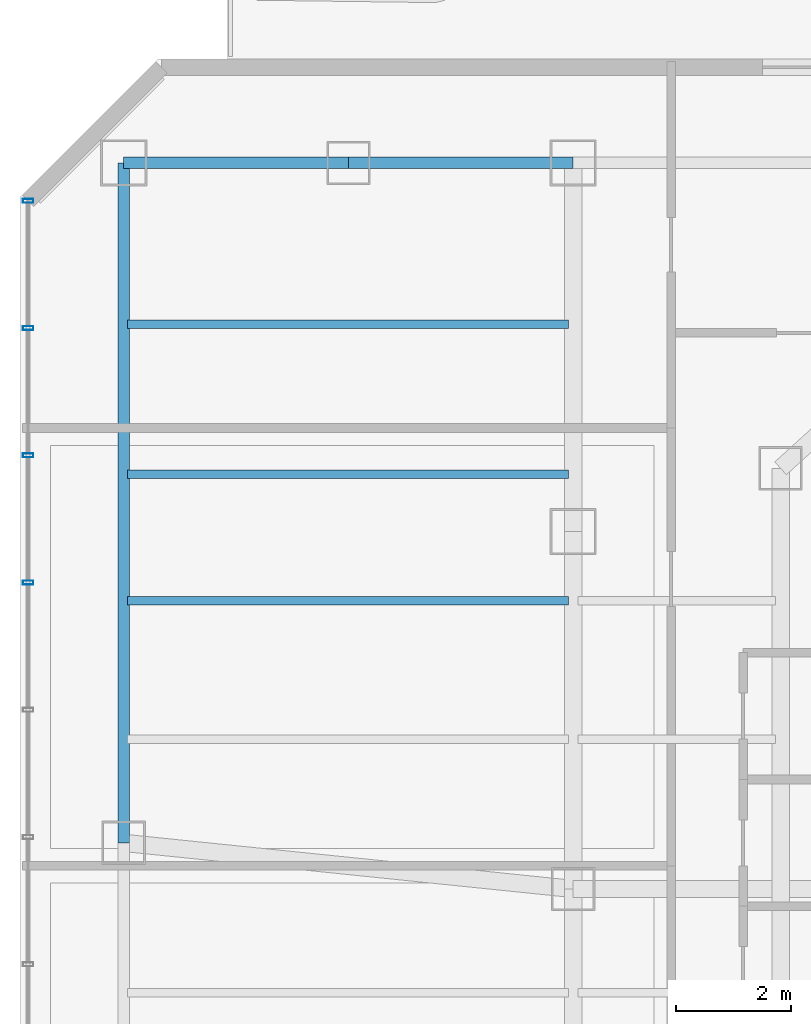
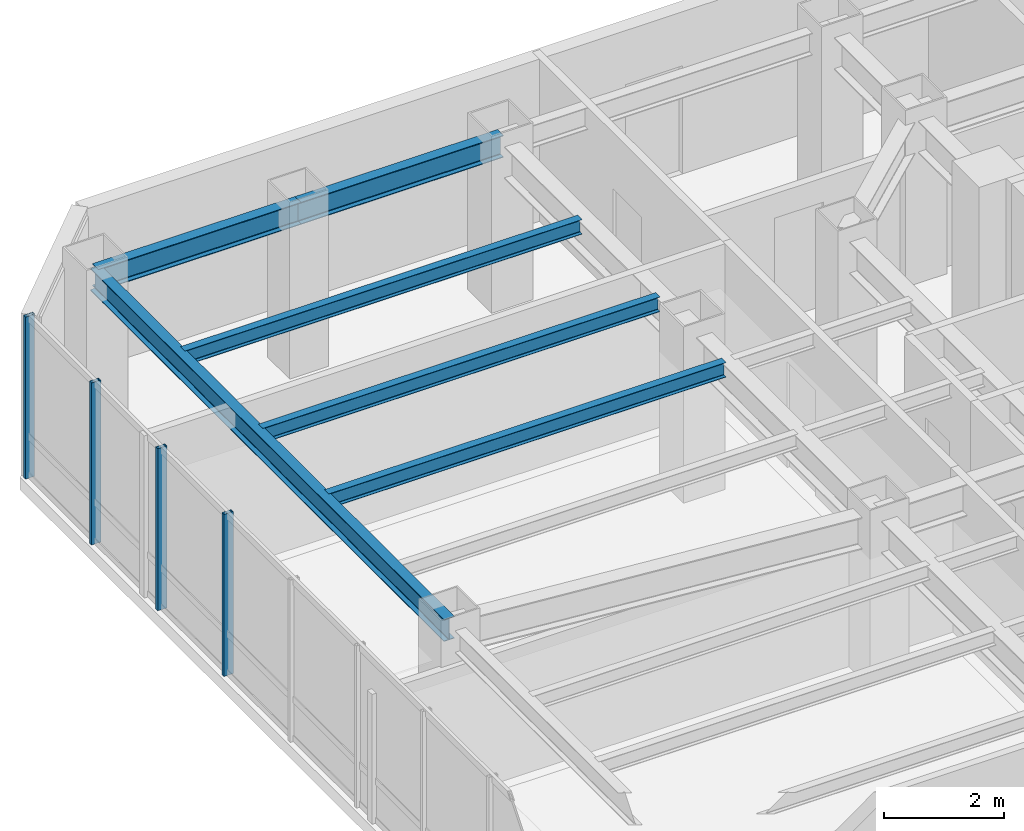
# One storey, part 20 of 29: 6 beams, 4 members, 1 element without a shape of its own.
"""IFC4 building model written with IfcOpenShell, lengths in metres."""

from ifc_helpers import new_model, si_unit, direction, frame, origin, origin_2d, place, context, subcontext, project, spatial, hollow_rectangle, i_section, extrude, material, layer, layer_set, material_profile, profile_set, type_object, element, aggregate, save


model = new_model("IFC4")

# Units and contexts
model_context = context("Model", 3, precision=1e-05, world=origin(), true_north=direction((0.0, 1.0)))
body_context = subcontext(model_context, "Body", "Model", "MODEL_VIEW")
ifc_project = project(units=[si_unit("LENGTHUNIT", "METRE"), si_unit("AREAUNIT", "SQUARE_METRE"), si_unit("VOLUMEUNIT", "CUBIC_METRE"), si_unit("PLANEANGLEUNIT", "RADIAN"), si_unit("MASSUNIT", "GRAM", prefix="KILO")], contexts=[model_context])

# Site, building, storey
site_placement = place(None, origin())
site = spatial("IfcSite", under=ifc_project, at=site_placement, CompositionType="ELEMENT")
building_placement = place(site_placement, origin())
building = spatial("IfcBuilding", under=site, at=building_placement, Name="Hatsunagi Terrace Concourse", CompositionType="ELEMENT")
storey_placement = place(building_placement, frame((0.0, 0.0, 178.050048828125)))
storey = spatial("IfcBuildingStorey", under=building, at=storey_placement, Name="L47", CompositionType="ELEMENT", Elevation=178.050048828125)

# Curtain wall, members
ifc_material_1 = material(Name="Anodised Aluminium Alloy 6063-T5", Category="aluminium")
ifc_layer = layer(ifc_material_1, 0.199951171875)
ifc_layer_set = layer_set([ifc_layer], Name="OfficeZone1_CW03")
curtain_wall_type = type_object("IfcCurtainWallType", Name="OfficeZone1_CW03", PredefinedType="NOTDEFINED", material=ifc_layer_set)
curtain_wall_placement = place(storey_placement, origin())
curtain_wall = element("IfcCurtainWall", 1, at=curtain_wall_placement, inside=storey, type_object=curtain_wall_type, Name="Unitised Curtain Wall CW-03 CW-L47-09", PredefinedType="NOTDEFINED")
ifc_material_2 = material(Name="Anodised Aluminium Alloy 6063-T5", Category="aluminium")
ifc_material_profile_1 = material_profile(ifc_material_2, hollow_rectangle(XDim=0.070068359375, YDim=0.179931640625, WallThickness=0.00390625, at=origin_2d()), Name="ALU-MUL-180x70x4")
ifc_profile_set_1 = profile_set([ifc_material_profile_1], Name="Anodised Aluminium Alloy 6063-T5")
member_type = type_object("IfcMemberType", Name="CurtainWallMullion_180x70", PredefinedType="MULLION", material=ifc_profile_set_1)
member_1_placement = place(storey_placement, frame((9.739990234375, 41.31689453125, 0.0), z_axis=(0.0, 0.0, 1.0), x_axis=(0.0, 1.0, 0.0)))
member_1 = element("IfcMember", 2, at=member_1_placement, type_object=member_type, Name="Curtain Wall Mullion MUL-02", PredefinedType="MULLION", context=body_context, shape_type="SweptSolid", body=[
    extrude(hollow_rectangle(XDim=0.070068359375, YDim=0.179931640625, WallThickness=0.00390625, at=origin_2d()), origin(), (0.0, 0.0, 1.0), 3.300048828125),
])
member_2_placement = place(storey_placement, frame((9.739990234375, 43.52490234375, 0.0), z_axis=(0.0, 0.0, 1.0), x_axis=(0.0, 1.0, 0.0)))
member_2 = element("IfcMember", 3, at=member_2_placement, type_object=member_type, Name="Curtain Wall Mullion MUL-02", PredefinedType="MULLION", context=body_context, shape_type="SweptSolid", body=[
    extrude(hollow_rectangle(XDim=0.070068359375, YDim=0.179931640625, WallThickness=0.00390625, at=origin_2d()), origin(), (0.0, 0.0, 1.0), 3.300048828125),
])
member_3_placement = place(storey_placement, frame((9.739990234375, 45.73388671875, 0.0), z_axis=(0.0, 0.0, 1.0), x_axis=(0.0, 1.0, 0.0)))
member_3 = element("IfcMember", 4, at=member_3_placement, type_object=member_type, Name="Curtain Wall Mullion MUL-02", PredefinedType="MULLION", context=body_context, shape_type="SweptSolid", body=[
    extrude(hollow_rectangle(XDim=0.070068359375, YDim=0.179931640625, WallThickness=0.00390625, at=origin_2d()), origin(), (0.0, 0.0, 1.0), 3.300048828125),
])
member_4_placement = place(storey_placement, frame((9.739990234375, 47.94189453125, 0.0), z_axis=(0.0, 0.0, 1.0), x_axis=(0.0, 1.0, 0.0)))
member_4 = element("IfcMember", 5, at=member_4_placement, type_object=member_type, Name="Curtain Wall Mullion MUL-02", PredefinedType="MULLION", context=body_context, shape_type="SweptSolid", body=[
    extrude(hollow_rectangle(XDim=0.070068359375, YDim=0.179931640625, WallThickness=0.00390625, at=origin_2d()), origin(), (0.0, 0.0, 1.0), 3.300048828125),
])
aggregate(curtain_wall, [member_1, member_2, member_3, member_4])

# Beams
ifc_material_3 = material(Name="Steel SN490B", Category="steel")
ifc_material_profile_2 = material_profile(ifc_material_3, i_section(OverallWidth=0.14990234375, OverallDepth=0.300048828125, WebThickness=0.006591796875, FlangeThickness=0.009033203125, FilletRadius=0.010986328125, at=origin_2d()), Name="H-300x150x6.5x9")
ifc_profile_set_2 = profile_set([ifc_material_profile_2], Name="Steel SN490B")
beam_type_1 = type_object("IfcBeamType", Name="OfficeJoist_H_300x150", PredefinedType="JOIST", material=ifc_profile_set_2)
for number, where, z_axis, x_axis, name in (
    (6, (11.465087890625, 41.0, 3.14990234375), (1.0, 0.0, 0.0), (0.0, 1.0, 0.0), "Beam J-03 J-L47-W-11-410"),
    (7, (11.465087890625, 43.199951171875, 3.14990234375), (1.0, 0.0, 0.0), (0.0, 1.0, 0.0), "Beam J-03 J-L47-W-11-432"),
    (8, (11.465087890625, 45.800048828125, 3.14990234375), (1.0, 0.0, 0.0), (0.0, 1.0, 0.0), "Beam J-03 J-L47-W-11-458"),
):
    element("IfcBeam", number, at=place(storey_placement, frame(where, z_axis=z_axis, x_axis=x_axis)), inside=storey, type_object=beam_type_1, Name=name, PredefinedType="JOIST", context=body_context, shape_type="SweptSolid", body=[
        extrude(i_section(OverallWidth=0.14990234375, OverallDepth=0.300048828125, WebThickness=0.006591796875, FlangeThickness=0.009033203125, FilletRadius=0.010986328125, at=origin_2d()), origin(), (0.0, 0.0, 1.0), 7.64990234375),
    ])
ifc_material_4 = material(Name="Steel SN490B", Category="steel")
ifc_material_profile_3 = material_profile(ifc_material_4, i_section(OverallWidth=0.199951171875, OverallDepth=0.449951171875, WebThickness=0.009033203125, FlangeThickness=0.013916015625, FilletRadius=0.01611328125, at=origin_2d()), Name="H-450x200x9x14")
ifc_profile_set_3 = profile_set([ifc_material_profile_3], Name="Steel SN490B")
beam_type_2 = type_object("IfcBeamType", Name="PerimeterSpandrel_H_450x200", PredefinedType="SPANDREL", material=ifc_profile_set_3)
beam_1_placement = place(storey_placement, frame((11.39990234375, 48.60009765625, 3.074951171875), z_axis=(1.0, 0.0, 0.0), x_axis=(0.0, 1.0, 0.0)))
element("IfcBeam", 9, at=beam_1_placement, inside=storey, type_object=beam_type_2, Name="Beam SP-02 BM-L47-WN-11", PredefinedType="SPANDREL", context=body_context, shape_type="SweptSolid", body=[
    extrude(i_section(OverallWidth=0.199951171875, OverallDepth=0.449951171875, WebThickness=0.009033203125, FlangeThickness=0.013916015625, FilletRadius=0.01611328125, at=origin_2d()), origin(), (0.0, 0.0, 1.0), 3.900146484375),
])
beam_2_placement = place(storey_placement, frame((15.300048828125, 48.60009765625, 3.074951171875), z_axis=(1.0, 0.0, 0.0), x_axis=(0.0, 1.0, 0.0)))
element("IfcBeam", 10, at=beam_2_placement, inside=storey, type_object=beam_type_2, Name="Beam SP-02 BM-L47-WN-15", PredefinedType="SPANDREL", context=body_context, shape_type="SweptSolid", body=[
    extrude(i_section(OverallWidth=0.199951171875, OverallDepth=0.449951171875, WebThickness=0.009033203125, FlangeThickness=0.013916015625, FilletRadius=0.01611328125, at=origin_2d()), origin(), (0.0, 0.0, 1.0), 3.89990234375),
])
beam_3_placement = place(storey_placement, frame((11.39990234375, 36.800048828125, 3.074951171875), z_axis=(0.0, 1.0, 0.0), x_axis=(-1.0, 0.0, 0.0)))
element("IfcBeam", 11, at=beam_3_placement, inside=storey, type_object=beam_type_2, Name="Beam SP-02 BM-L47-NS-11-36", PredefinedType="SPANDREL", context=body_context, shape_type="SweptSolid", body=[
    extrude(i_section(OverallWidth=0.199951171875, OverallDepth=0.449951171875, WebThickness=0.009033203125, FlangeThickness=0.013916015625, FilletRadius=0.01611328125, at=origin_2d()), origin(), (0.0, 0.0, 1.0), 11.800048828125),
])

save(model, "model.ifc")
